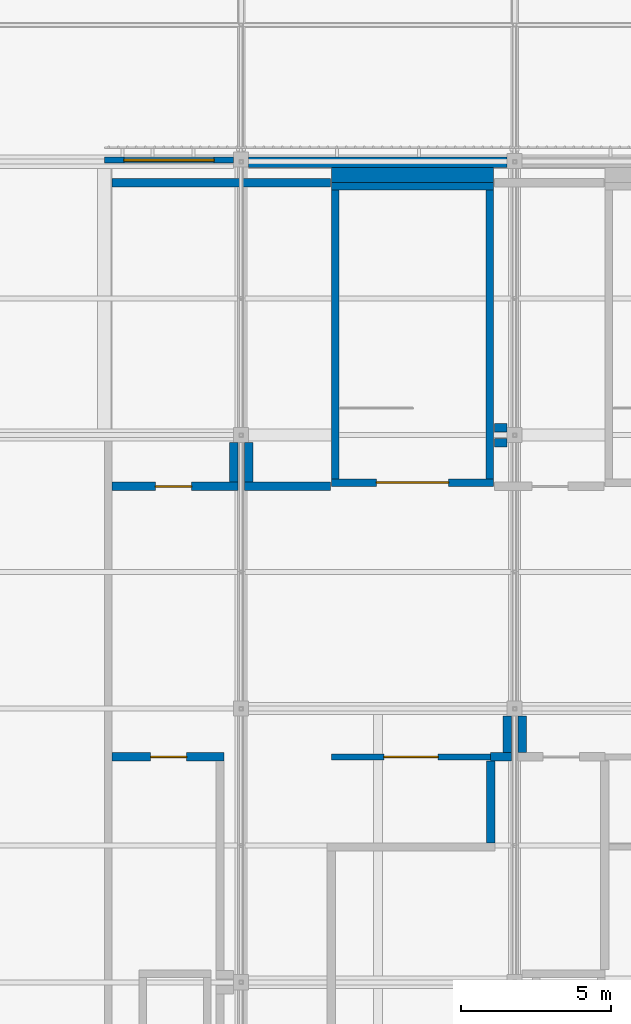
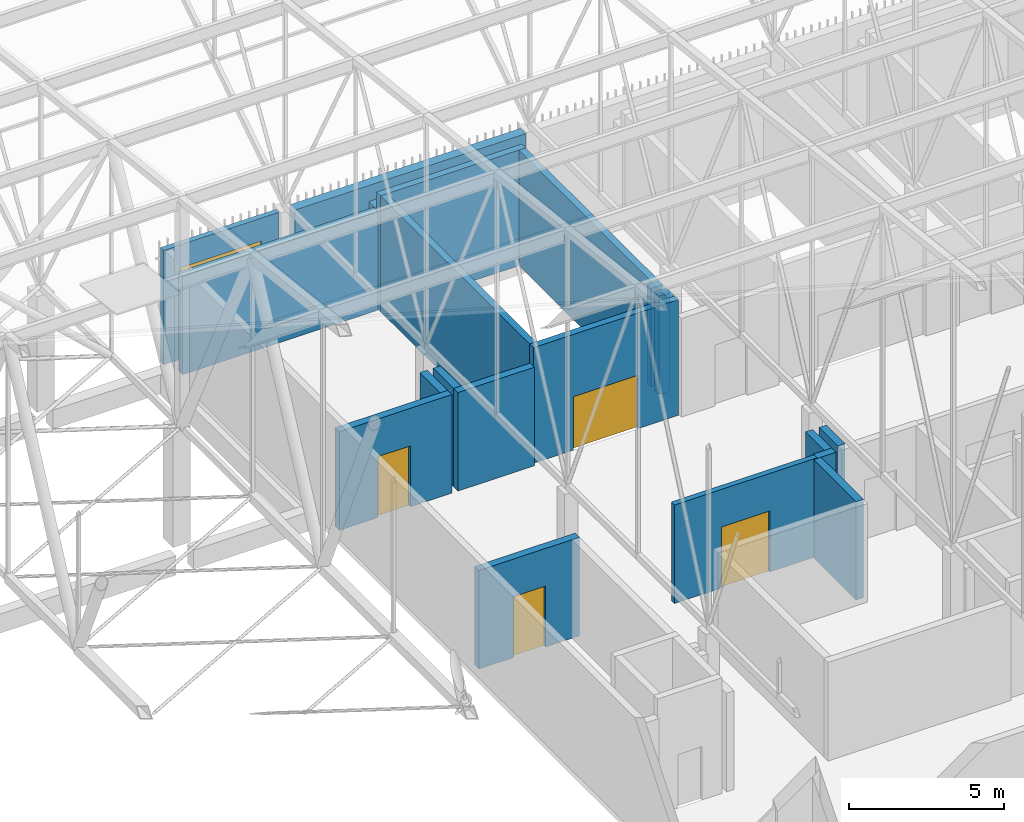
# One storey, part 434 of 500: 20 walls, 4 doors, 1 window, 5 openings.
"""IFC4 building model written with IfcOpenShell, lengths in metres."""

from ifc_helpers import new_model, si_unit, direction, frame, frame_2d, origin, place, context, subcontext, project, spatial, rectangle, extrude, material, layer, layer_set, type_object, element, fill, save


model = new_model("IFC4")

# Units and contexts
model_context = context("Model", 3, precision=1e-05, world=origin(), true_north=direction((0.0, 1.0)))
body_context = subcontext(model_context, "Body", "Model", "MODEL_VIEW")
ifc_project = project(units=[si_unit("LENGTHUNIT", "METRE"), si_unit("AREAUNIT", "SQUARE_METRE"), si_unit("VOLUMEUNIT", "CUBIC_METRE"), si_unit("PLANEANGLEUNIT", "RADIAN"), si_unit("MASSUNIT", "GRAM", prefix="KILO")], contexts=[model_context])

# Site, building, storey
site_placement = place(None, origin())
site = spatial("IfcSite", under=ifc_project, at=site_placement, CompositionType="ELEMENT")
building_placement = place(site_placement, origin())
building = spatial("IfcBuilding", under=site, at=building_placement, Name="Shirokan Park Arena", CompositionType="ELEMENT")
storey_placement = place(building_placement, frame((0.0, 0.0, 29.1201171875)))
storey = spatial("IfcBuildingStorey", under=building, at=storey_placement, Name="L06", CompositionType="ELEMENT", Elevation=29.1201171875)

# Wall, opening, door
ifc_material_1 = material(Name="Gypsum board")
ifc_layer_1 = layer(ifc_material_1, 0.02490234375, Name="Gypsum board, two layers")
ifc_material_2 = material(Name="Mineral wool insulation")
ifc_layer_2 = layer(ifc_material_2, 0.14990234375, Name="Mineral wool insulation")
ifc_layer_3 = layer(ifc_material_1, 0.02490234375, Name="Gypsum board, two layers")
ifc_layer_set_1 = layer_set([ifc_layer_1, ifc_layer_2, ifc_layer_3], Name="Gypsum board, two layers + Mineral wool insulation")
wall_type_1 = type_object("IfcWallType", Name="Corridor wall 200", PredefinedType="PARTITIONING", material=ifc_layer_set_1)
wall_1_placement = place(storey_placement, frame((117.5, 89.39990234375, 0.0), z_axis=(0.0, 0.0, 1.0), x_axis=(-1.0, 0.0, 0.0)))
wall_1 = element("IfcWall", 1, at=wall_1_placement, inside=storey, type_object=wall_type_1, Name="Corridor wall 200 L06", PredefinedType="PARTITIONING", context=body_context, shape_type="SweptSolid", body=[
    extrude(rectangle(XDim=5.300048828125, YDim=0.199951171875, at=frame_2d((2.64990234375, 0.0))), origin(), (0.0, 0.0, 1.0), 3.8798828125),
])
opening_1_placement = place(wall_1_placement, frame((1.75, 0.0, 0.0)))
opening_1 = element("IfcOpeningElement", 2, at=opening_1_placement, cuts=wall_1, Name="Opening D-6054", PredefinedType="OPENING", context=body_context, shape_type="SweptSolid", body=[
    extrude(rectangle(XDim=1.800048828125, YDim=2.39990234375, at=frame_2d((0.89990234375, 1.199951171875))), frame((0.0, 0.10986328125, 0.0), z_axis=(0.0, -1.0, 0.0), x_axis=(1.0, 0.0, 0.0)), (0.0, 0.0, 1.0), 0.219970703125),
])
ifc_material_3 = material(Name="Glazed steel door set, fire resisting", Category="steel")
door_type_1 = type_object("IfcDoorType", Name="Lift lobby door 1800 x 2400", OperationType="DOUBLE_DOOR_SINGLE_SWING", PredefinedType="DOOR", material=ifc_material_3)
door_1_placement = place(opening_1_placement, origin())
door_1 = element("IfcDoor", 3, at=door_1_placement, inside=storey, type_object=door_type_1, Name="Door between Plant Gallery 3.6.1 and Lift Lobby 3.6 D-6054", OperationType="DOUBLE_DOOR_SINGLE_SWING", OverallHeight=2.39990234375, OverallWidth=1.800048828125, PredefinedType="DOOR", context=body_context, shape_type="SweptSolid", body=[
    extrude(rectangle(XDim=1.800048828125, YDim=2.39990234375, at=frame_2d((0.89990234375, 1.199951171875))), frame((0.0, 0.02490234375, 0.0), z_axis=(0.0, -1.0, 0.0), x_axis=(1.0, 0.0, 0.0)), (0.0, 0.0, 1.0), 0.050048828125),
])
fill(opening_1, door_1)

# Wall
ifc_material_4 = material(Name="Cedar cladding")
ifc_layer_4 = layer(ifc_material_4, 0.030029296875, Name="Cedar cladding")
ifc_layer_5 = layer(ifc_material_2, 0.10009765625, Name="Mineral wool insulation")
ifc_material_5 = material(Name="Concrete C35", Category="concrete")
ifc_layer_6 = layer(ifc_material_5, 0.199951171875, Name="Concrete C35")
ifc_material_6 = material(Name="Gypsum board lining")
ifc_layer_7 = layer(ifc_material_6, 0.02001953125, Name="Gypsum board lining")
ifc_layer_set_2 = layer_set([ifc_layer_4, ifc_layer_5, ifc_layer_6, ifc_layer_7], Name="Cedar cladding + Mineral wool insulation + Concrete C35 + Gypsum board lining")
wall_type_2 = type_object("IfcWallType", Name="Insulated tower wall 350", PredefinedType="SOLIDWALL", material=ifc_layer_set_2)
wall_2_placement = place(storey_placement, frame((118.050048828125, 109.175048828125, 0.0), z_axis=(0.0, 0.0, 1.0), x_axis=(-1.0, 0.0, 0.0)))
element("IfcWall", 4, at=wall_2_placement, inside=storey, type_object=wall_type_2, Name="North facade wall bay 4 L06", PredefinedType="SOLIDWALL", context=body_context, shape_type="SweptSolid", body=[
    extrude(rectangle(XDim=8.60009765625, YDim=0.35009765625, at=frame_2d((4.300048828125, 0.0))), origin(), (0.0, 0.0, 1.0), 4.5),
])

# Wall, opening, window
ifc_layer_8 = layer(ifc_material_5, 0.14990234375, Name="Concrete C35")
ifc_layer_9 = layer(ifc_material_2, 0.050048828125, Name="Mineral wool insulation")
ifc_layer_set_3 = layer_set([ifc_layer_8, ifc_layer_9], Name="Concrete C35 + Mineral wool insulation")
wall_type_3 = type_object("IfcWallType", Name="Plant gallery wall 200", PredefinedType="SOLIDWALL", material=ifc_layer_set_3)
wall_3_placement = place(storey_placement, frame((108.949951171875, 109.25, 0.0), z_axis=(0.0, 0.0, 1.0), x_axis=(-1.0, 0.0, 0.0)))
wall_3 = element("IfcWall", 5, at=wall_3_placement, inside=storey, type_object=wall_type_3, Name="North facade wall bay 5 L06", PredefinedType="SOLIDWALL", context=body_context, shape_type="SweptSolid", body=[
    extrude(rectangle(XDim=4.300048828125, YDim=0.199951171875, at=frame_2d((2.14990234375, 0.0))), origin(), (0.0, 0.0, 1.0), 4.5),
])
opening_2_placement = place(wall_3_placement, frame((0.64990234375, 0.0, 0.60009765625)))
opening_2 = element("IfcOpeningElement", 6, at=opening_2_placement, cuts=wall_3, Name="Opening W2", PredefinedType="OPENING", context=body_context, shape_type="SweptSolid", body=[
    extrude(rectangle(XDim=3.0, YDim=3.0, at=frame_2d((1.5, 1.5))), frame((0.0, 0.10986328125, 0.0), z_axis=(0.0, -1.0, 0.0), x_axis=(1.0, 0.0, 0.0)), (0.0, 0.0, 1.0), 0.219970703125),
])
ifc_material_7 = material(Name="Aluminium louvre", Category="aluminium")
window_type = type_object("IfcWindowType", Name="Plant louvre 3000x3000", PartitioningType="DOUBLE_PANEL_VERTICAL", PredefinedType="WINDOW", material=ifc_material_7)
window_placement = place(opening_2_placement, origin())
window = element("IfcWindow", 7, at=window_placement, inside=storey, type_object=window_type, Name="Plant louvre 3000x3000 north bay 5 L06", OverallHeight=3.0, OverallWidth=3.0, PartitioningType="SINGLE_PANEL", PredefinedType="WINDOW", context=body_context, shape_type="SweptSolid", body=[
    extrude(rectangle(XDim=3.0, YDim=3.0, at=frame_2d((1.5, 1.5))), frame((0.0, 0.030029296875, 0.0), z_axis=(0.0, -1.0, 0.0), x_axis=(1.0, 0.0, 0.0)), (0.0, 0.0, 1.0), 0.06005859375),
])
fill(opening_2, window)

# Wall, opening, door
ifc_material_8 = material(Name="Plaster")
ifc_layer_10 = layer(ifc_material_8, 0.012451171875, Name="Plaster")
ifc_material_9 = material(Name="Concrete blockwork", Category="masonry")
ifc_layer_11 = layer(ifc_material_9, 0.25, Name="Concrete blockwork 250")
ifc_layer_12 = layer(ifc_material_8, 0.012451171875, Name="Plaster")
ifc_layer_set_4 = layer_set([ifc_layer_10, ifc_layer_11, ifc_layer_12], Name="Plaster + Concrete blockwork 250")
wall_type_4 = type_object("IfcWallType", Name="Plant room wall 275", PredefinedType="SOLIDWALL", material=ifc_layer_set_4)
wall_4_placement = place(storey_placement, frame((104.89990234375, 98.39990234375, 0.0), z_axis=(0.0, 0.0, 1.0), x_axis=(1.0, 0.0, 0.0)))
wall_4 = element("IfcWall", 8, at=wall_4_placement, inside=storey, type_object=wall_type_4, Name="Plant room wall 275 L06", PredefinedType="SOLIDWALL", context=body_context, shape_type="SweptSolid", body=[
    extrude(rectangle(XDim=4.1875, YDim=0.27490234375, at=frame_2d((2.09375, 0.0))), origin(), (0.0, 0.0, 1.0), 3.8798828125),
])
opening_3_placement = place(wall_4_placement, frame((1.449951171875, 0.0, 0.0)))
opening_3 = element("IfcOpeningElement", 9, at=opening_3_placement, cuts=wall_4, Name="Opening D-6028", PredefinedType="OPENING", context=body_context, shape_type="SweptSolid", body=[
    extrude(rectangle(XDim=1.199951171875, YDim=2.39990234375, at=frame_2d((0.60009765625, 1.199951171875))), frame((0.0, 0.1474609375, 0.0), z_axis=(0.0, -1.0, 0.0), x_axis=(1.0, 0.0, 0.0)), (0.0, 0.0, 1.0), 0.294921875),
])
ifc_material_10 = material(Name="Louvred steel door set, fire resisting", Category="steel")
door_type_2 = type_object("IfcDoorType", Name="Plant room door 1200 x 2400", OperationType="SINGLE_SWING_LEFT", PredefinedType="DOOR", material=ifc_material_10)
door_2_placement = place(opening_3_placement, origin())
door_2 = element("IfcDoor", 10, at=door_2_placement, inside=storey, type_object=door_type_2, Name="Door to Electrical Room 6.33 D-6028", OperationType="SINGLE_SWING_RIGHT", OverallHeight=2.39990234375, OverallWidth=1.199951171875, PredefinedType="DOOR", context=body_context, shape_type="SweptSolid", body=[
    extrude(rectangle(XDim=1.199951171875, YDim=2.39990234375, at=frame_2d((0.60009765625, 1.199951171875))), frame((0.0, 0.02490234375, 0.0), z_axis=(0.0, -1.0, 0.0), x_axis=(1.0, 0.0, 0.0)), (0.0, 0.0, 1.0), 0.050048828125),
])
fill(opening_3, door_2)

# Wall
wall_5_placement = place(storey_placement, frame((104.89990234375, 108.5, 0.0), z_axis=(0.0, 0.0, 1.0), x_axis=(1.0, 0.0, 0.0)))
element("IfcWall", 11, at=wall_5_placement, inside=storey, type_object=wall_type_4, Name="Plant room wall 275 L06", PredefinedType="SOLIDWALL", context=body_context, shape_type="SweptSolid", body=[
    extrude(rectangle(XDim=7.27001953125, YDim=0.27490234375, at=frame_2d((3.635009765625, 0.0))), origin(), (0.0, 0.0, 1.0), 3.8798828125),
])

# Wall, opening, door
wall_6_placement = place(storey_placement, frame((108.637451171875, 89.39990234375, 0.0), z_axis=(0.0, 0.0, 1.0), x_axis=(-1.0, 0.0, 0.0)))
wall_6 = element("IfcWall", 12, at=wall_6_placement, inside=storey, type_object=wall_type_4, Name="Plant room wall 275 L06", PredefinedType="SOLIDWALL", context=body_context, shape_type="SweptSolid", body=[
    extrude(rectangle(XDim=3.737548828125, YDim=0.27490234375, at=frame_2d((1.86865234375, 0.0))), origin(), (0.0, 0.0, 1.0), 3.8798828125),
])
opening_4_placement = place(wall_6_placement, frame((1.25, 0.0, 0.0)))
opening_4 = element("IfcOpeningElement", 13, at=opening_4_placement, cuts=wall_6, Name="Opening D-6024", PredefinedType="OPENING", context=body_context, shape_type="SweptSolid", body=[
    extrude(rectangle(XDim=1.199951171875, YDim=2.39990234375, at=frame_2d((0.60009765625, 1.199951171875))), frame((0.0, 0.1474609375, 0.0), z_axis=(0.0, -1.0, 0.0), x_axis=(1.0, 0.0, 0.0)), (0.0, 0.0, 1.0), 0.294921875),
])
door_3_placement = place(opening_4_placement, origin())
door_3 = element("IfcDoor", 14, at=door_3_placement, inside=storey, type_object=door_type_2, Name="Door to Plant Store 6.39 D-6024", OperationType="SINGLE_SWING_RIGHT", OverallHeight=2.39990234375, OverallWidth=1.199951171875, PredefinedType="DOOR", context=body_context, shape_type="SweptSolid", body=[
    extrude(rectangle(XDim=1.199951171875, YDim=2.39990234375, at=frame_2d((0.60009765625, 1.199951171875))), frame((0.0, 0.02490234375, 0.0), z_axis=(0.0, -1.0, 0.0), x_axis=(1.0, 0.0, 0.0)), (0.0, 0.0, 1.0), 0.050048828125),
])
fill(opening_4, door_3)

# Walls
wall_7_placement = place(storey_placement, frame((108.949951171875, 98.53759765625, 0.0), z_axis=(0.0, 0.0, 1.0), x_axis=(0.0, 1.0, 0.0)))
element("IfcWall", 15, at=wall_7_placement, inside=storey, type_object=wall_type_4, Name="Plant room wall 275 L06", PredefinedType="SOLIDWALL", context=body_context, shape_type="SweptSolid", body=[
    extrude(rectangle(XDim=1.3125, YDim=0.27490234375, at=frame_2d((0.65625, 0.0))), origin(), (0.0, 0.0, 1.0), 3.8798828125),
])
wall_8_placement = place(storey_placement, frame((109.3125, 98.39990234375, 0.0), z_axis=(0.0, 0.0, 1.0), x_axis=(1.0, 0.0, 0.0)))
element("IfcWall", 16, at=wall_8_placement, inside=storey, type_object=wall_type_4, Name="Plant room wall 275 L06", PredefinedType="SOLIDWALL", context=body_context, shape_type="SweptSolid", body=[
    extrude(rectangle(XDim=2.857421875, YDim=0.27490234375, at=frame_2d((1.4287109375, 0.0))), origin(), (0.0, 0.0, 1.0), 3.8798828125),
])
wall_9_placement = place(storey_placement, frame((109.449951171875, 99.85009765625, 0.0), z_axis=(0.0, 0.0, 1.0), x_axis=(0.0, -1.0, 0.0)))
element("IfcWall", 17, at=wall_9_placement, inside=storey, type_object=wall_type_4, Name="Plant room wall 275 L06", PredefinedType="SOLIDWALL", context=body_context, shape_type="SweptSolid", body=[
    extrude(rectangle(XDim=1.3125, YDim=0.27490234375, at=frame_2d((0.65625, 0.0))), origin(), (0.0, 0.0, 1.0), 3.8798828125),
])
wall_10_placement = place(storey_placement, frame((117.5, 86.53759765625, 0.0), z_axis=(0.0, 0.0, 1.0), x_axis=(0.0, 1.0, 0.0)))
element("IfcWall", 18, at=wall_10_placement, inside=storey, type_object=wall_type_4, Name="Plant room wall 275 L06", PredefinedType="SOLIDWALL", context=body_context, shape_type="SweptSolid", body=[
    extrude(rectangle(XDim=2.724853515625, YDim=0.27490234375, at=frame_2d((1.3623046875, 0.0))), origin(), (0.0, 0.0, 1.0), 3.8798828125),
])
wall_11_placement = place(storey_placement, frame((117.6298828125, 99.85009765625, 0.0), z_axis=(0.0, 0.0, 1.0), x_axis=(1.0, 0.0, 0.0)))
element("IfcWall", 19, at=wall_11_placement, inside=storey, type_object=wall_type_4, Name="Plant room wall 275 L06", PredefinedType="SOLIDWALL", context=body_context, shape_type="SweptSolid", body=[
    extrude(rectangle(XDim=0.420166015625, YDim=0.27490234375, at=frame_2d((0.2099609375, 0.0))), origin(), (0.0, 0.0, 1.0), 3.8798828125),
])
wall_12_placement = place(storey_placement, frame((118.050048828125, 90.75, 0.0), z_axis=(0.0, 0.0, 1.0), x_axis=(0.0, -1.0, 0.0)))
element("IfcWall", 20, at=wall_12_placement, inside=storey, type_object=wall_type_4, Name="Plant room wall 275 L06", PredefinedType="SOLIDWALL", context=body_context, shape_type="SweptSolid", body=[
    extrude(rectangle(XDim=1.21240234375, YDim=0.27490234375, at=frame_2d((0.606201171875, 0.0))), origin(), (0.0, 0.0, 1.0), 3.8798828125),
])
wall_13_placement = place(storey_placement, frame((118.050048828125, 100.35009765625, 0.0), z_axis=(0.0, 0.0, 1.0), x_axis=(-1.0, 0.0, 0.0)))
element("IfcWall", 21, at=wall_13_placement, inside=storey, type_object=wall_type_4, Name="Plant room wall 275 L06", PredefinedType="SOLIDWALL", context=body_context, shape_type="SweptSolid", body=[
    extrude(rectangle(XDim=0.420166015625, YDim=0.27490234375, at=frame_2d((0.2099609375, 0.0))), origin(), (0.0, 0.0, 1.0), 3.8798828125),
])
wall_14_placement = place(storey_placement, frame((118.1875, 89.39990234375, 0.0), z_axis=(0.0, 0.0, 1.0), x_axis=(-1.0, 0.0, 0.0)))
element("IfcWall", 22, at=wall_14_placement, inside=storey, type_object=wall_type_4, Name="Plant room wall 275 L06", PredefinedType="SOLIDWALL", context=body_context, shape_type="SweptSolid", body=[
    extrude(rectangle(XDim=0.6875, YDim=0.27490234375, at=frame_2d((0.34375, 0.0))), origin(), (0.0, 0.0, 1.0), 3.8798828125),
])
wall_15_placement = place(storey_placement, frame((118.550048828125, 89.53759765625, 0.0), z_axis=(0.0, 0.0, 1.0), x_axis=(0.0, 1.0, 0.0)))
element("IfcWall", 23, at=wall_15_placement, inside=storey, type_object=wall_type_4, Name="Plant room wall 275 L06", PredefinedType="SOLIDWALL", context=body_context, shape_type="SweptSolid", body=[
    extrude(rectangle(XDim=1.21240234375, YDim=0.27490234375, at=frame_2d((0.606201171875, 0.0))), origin(), (0.0, 0.0, 1.0), 3.8798828125),
])

# Wall, opening, door
ifc_material_11 = material(Name="Concrete C40/50", Category="concrete")
ifc_layer_13 = layer(ifc_material_11, 0.25)
ifc_layer_set_5 = layer_set([ifc_layer_13], Name="Concrete C40/50 250 mm")
wall_type_5 = type_object("IfcWallType", Name="RC shear wall 250", PredefinedType="SHEAR", material=ifc_layer_set_5)
wall_16_placement = place(storey_placement, frame((117.60009765625, 98.52490234375, 0.0), z_axis=(0.0, 0.0, 1.0), x_axis=(-1.0, 0.0, 0.0)))
wall_16 = element("IfcWall", 24, at=wall_16_placement, inside=storey, type_object=wall_type_5, Name="Shaft wall Exit Stair 3.D S L06", PredefinedType="SHEAR", context=body_context, shape_type="SweptSolid", body=[
    extrude(rectangle(XDim=5.400146484375, YDim=0.25, at=frame_2d((2.7001953125, 0.0))), origin(), (0.0, 0.0, 1.0), 4.5498046875),
])
opening_5_placement = place(wall_16_placement, frame((1.5, 0.0, 0.0)))
opening_5 = element("IfcOpeningElement", 25, at=opening_5_placement, cuts=wall_16, Name="Opening D-6086", PredefinedType="OPENING", context=body_context, shape_type="SweptSolid", body=[
    extrude(rectangle(XDim=2.39990234375, YDim=2.10009765625, at=frame_2d((1.199951171875, 1.050048828125))), frame((0.0, 0.135009765625, 0.0), z_axis=(0.0, -1.0, 0.0), x_axis=(1.0, 0.0, 0.0)), (0.0, 0.0, 1.0), 0.27001953125),
])
ifc_material_12 = material(Name="Steel door set, fire resisting", Category="steel")
door_type_3 = type_object("IfcDoorType", Name="Stair door 2400 x 2100", OperationType="DOUBLE_DOOR_SINGLE_SWING", PredefinedType="DOOR", material=ifc_material_12)
door_4_placement = place(opening_5_placement, origin())
door_4 = element("IfcDoor", 26, at=door_4_placement, inside=storey, type_object=door_type_3, Name="Stair door Exit Stair 3.D D-6086", OperationType="DOUBLE_DOOR_SINGLE_SWING", OverallHeight=2.10009765625, OverallWidth=2.39990234375, PredefinedType="DOOR", context=body_context, shape_type="SweptSolid", body=[
    extrude(rectangle(XDim=2.39990234375, YDim=2.10009765625, at=frame_2d((1.199951171875, 1.050048828125))), frame((0.0, 0.02490234375, 0.0), z_axis=(0.0, -1.0, 0.0), x_axis=(1.0, 0.0, 0.0)), (0.0, 0.0, 1.0), 0.050048828125),
])
fill(opening_5, door_4)

# Walls
wall_17_placement = place(storey_placement, frame((117.60009765625, 108.375, 0.0), z_axis=(0.0, 0.0, 1.0), x_axis=(-1.0, 0.0, 0.0)))
element("IfcWall", 27, at=wall_17_placement, inside=storey, type_object=wall_type_5, Name="Shaft wall Exit Stair 3.D N L06", PredefinedType="SHEAR", context=body_context, shape_type="SweptSolid", body=[
    extrude(rectangle(XDim=5.400146484375, YDim=0.25, at=frame_2d((2.7001953125, 0.0))), origin(), (0.0, 0.0, 1.0), 4.5498046875),
])
for number, where, z_axis, x_axis, name in (
    (28, (112.324951171875, 108.25, 0.0), (0.0, 0.0, 1.0), (0.0, -1.0, 0.0), "Shaft wall Exit Stair 3.D W L06"),
    (29, (117.47509765625, 108.25, 0.0), (0.0, 0.0, 1.0), (0.0, -1.0, 0.0), "Shaft wall Exit Stair 3.D E L06"),
):
    element("IfcWall", number, at=place(storey_placement, frame(where, z_axis=z_axis, x_axis=x_axis)), inside=storey, type_object=wall_type_5, Name=name, PredefinedType="SHEAR", context=body_context, shape_type="SweptSolid", body=[
        extrude(rectangle(XDim=9.60009765625, YDim=0.25, at=frame_2d((4.800048828125, 0.0))), origin(), (0.0, 0.0, 1.0), 4.5498046875),
    ])
ifc_layer_14 = layer(ifc_material_5, 0.5)
ifc_layer_set_6 = layer_set([ifc_layer_14], Name="Concrete C35 500 mm")
wall_type_6 = type_object("IfcWallType", Name="Shaft infill wall 500", PredefinedType="SOLIDWALL", material=ifc_layer_set_6)
wall_18_placement = place(storey_placement, frame((112.199951171875, 108.75, 0.0), z_axis=(0.0, 0.0, 1.0), x_axis=(1.0, 0.0, 0.0)))
element("IfcWall", 30, at=wall_18_placement, inside=storey, type_object=wall_type_6, Name="Shaft infill wall L06", PredefinedType="SOLIDWALL", context=body_context, shape_type="SweptSolid", body=[
    extrude(rectangle(XDim=5.400146484375, YDim=0.5, at=frame_2d((2.7001953125, 0.0))), origin(), (0.0, 0.0, 1.0), 3.8798828125),
])

save(model, "model.ifc")
